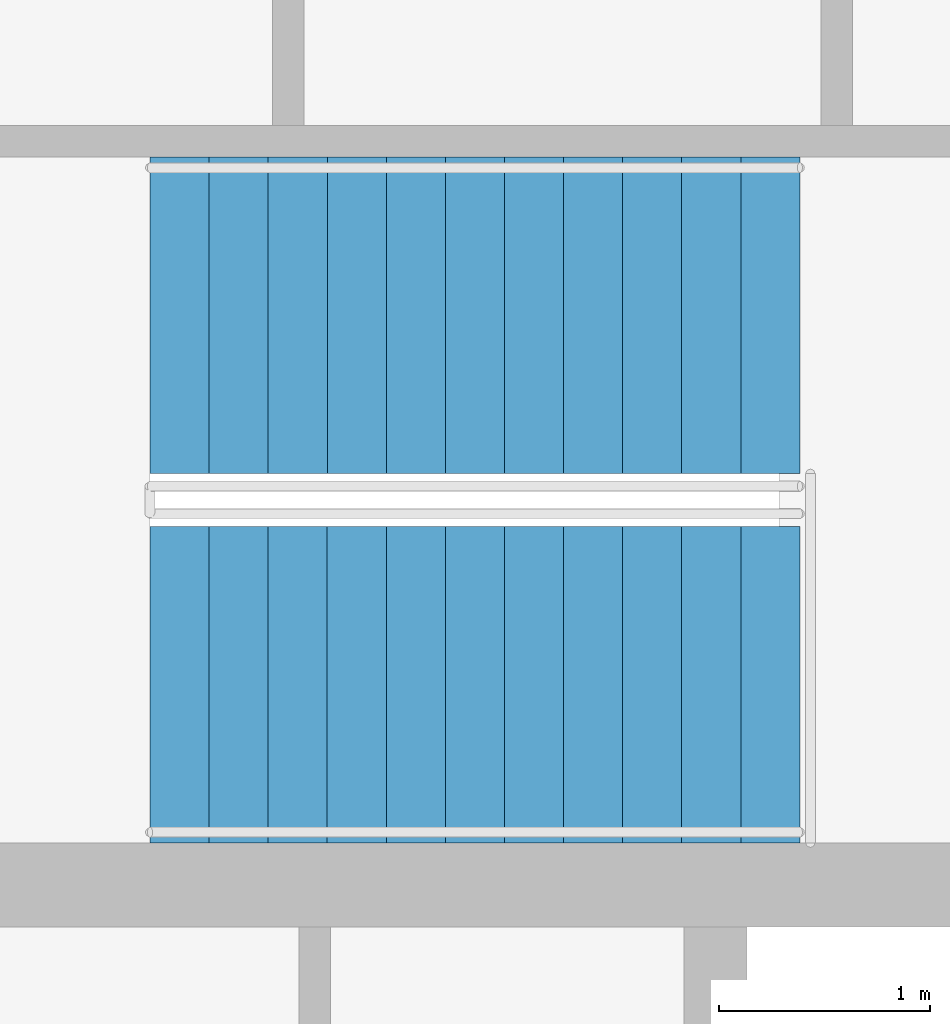
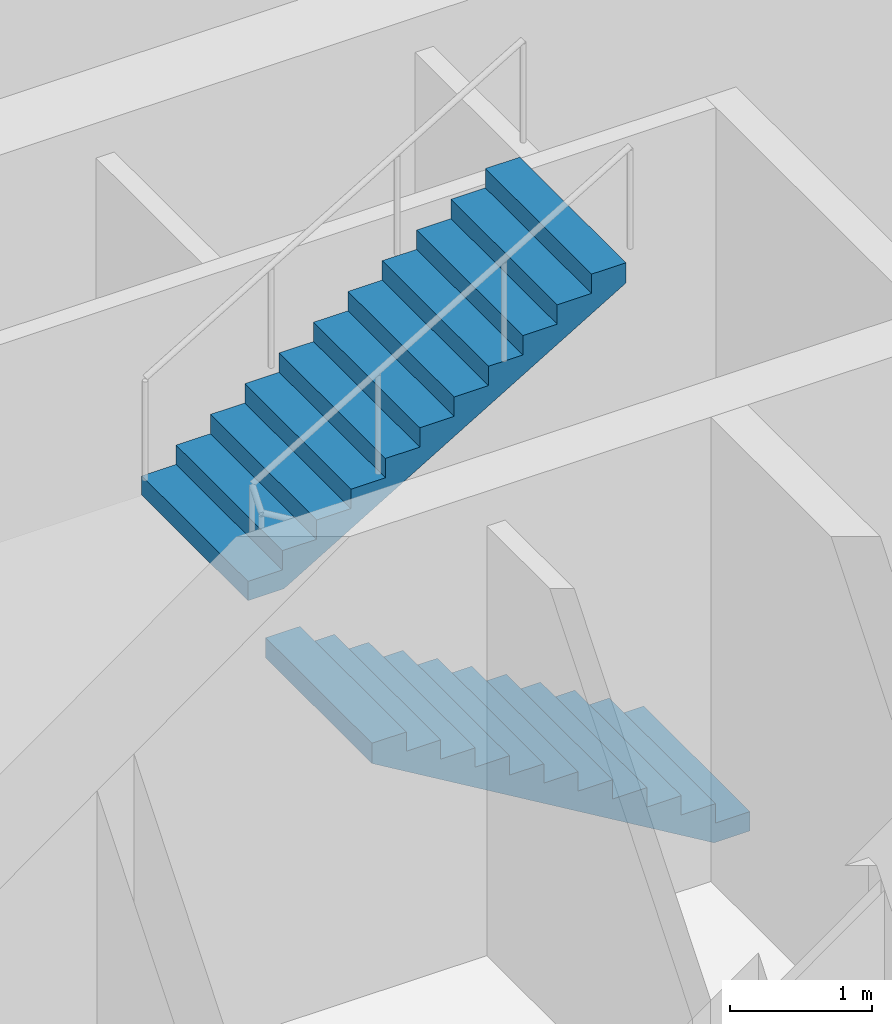
# One storey, part 8 of 11: 2 stair flights, 1 element without a shape of its own.
"""IFC4 building model written with IfcOpenShell, lengths in metres."""

from ifc_helpers import new_model, si_unit, direction, frame, origin, place, context, subcontext, project, spatial, polyline, outline, extrude, material, type_object, element, aggregate, save


model = new_model("IFC4")

# Units and contexts
model_context = context("Model", 3, precision=1e-05, world=origin(), true_north=direction((0.0, 1.0)))
body_context = subcontext(model_context, "Body", "Model", "MODEL_VIEW")
ifc_project = project(units=[si_unit("LENGTHUNIT", "METRE"), si_unit("AREAUNIT", "SQUARE_METRE"), si_unit("VOLUMEUNIT", "CUBIC_METRE"), si_unit("PLANEANGLEUNIT", "RADIAN"), si_unit("MASSUNIT", "GRAM", prefix="KILO")], contexts=[model_context])

# Site, building, storey
site_placement = place(None, origin())
site = spatial("IfcSite", under=ifc_project, at=site_placement, CompositionType="ELEMENT")
building_placement = place(site_placement, origin())
building = spatial("IfcBuilding", under=site, at=building_placement, Name="Halqa Exchange Tower", CompositionType="ELEMENT")
storey_placement = place(building_placement, frame((0.0, 0.0, 230.89990234375)))
storey = spatial("IfcBuildingStorey", under=building, at=storey_placement, Name="L53", CompositionType="ELEMENT", Elevation=230.89990234375)

# Stair, stair flights
ifc_material = material(Name="Concrete C30/37", Category="concrete")
stair_type = type_object("IfcStairType", Name="Exit stair 1500 wide", PredefinedType="HALF_TURN_STAIR", material=ifc_material)
stair_placement = place(storey_placement, origin())
stair = element("IfcStair", 1, at=stair_placement, inside=storey, type_object=stair_type, Name="Exit stair ST2", PredefinedType="HALF_TURN_STAIR")
stair_flight_type = type_object("IfcStairFlightType", Name="Stair flight 1500 wide", PredefinedType="STRAIGHT", material=ifc_material)
stair_flight_1_placement = place(storey_placement, frame((6.64990234375, 7.25, 0.0), z_axis=(0.0, 0.0, 1.0), x_axis=(-1.0, 0.0, 0.0)))
stair_flight_1 = element("IfcStairFlight", 2, at=stair_flight_1_placement, type_object=stair_flight_type, Name="ST2 flight 1", NumberOfRisers=12, NumberOfTreads=11, PredefinedType="STRAIGHT", RiserHeight=0.166666667, TreadLength=0.28, context=body_context, shape_type="SweptSolid", body=[
    extrude(outline(polyline([(0.0, 0.0), (0.0, 0.166748046875), (0.280029296875, 0.166748046875), (0.280029296875, 0.333251953125), (0.56005859375, 0.333251953125), (0.56005859375, 0.5), (0.840087890625, 0.5), (0.840087890625, 0.666748046875), (1.1201171875, 0.666748046875), (1.1201171875, 0.833251953125), (1.39990234375, 0.833251953125), (1.39990234375, 1.0), (1.679931640625, 1.0), (1.679931640625, 1.166748046875), (1.9599609375, 1.166748046875), (1.9599609375, 1.333251953125), (2.239990234375, 1.333251953125), (2.239990234375, 1.5), (2.52001953125, 1.5), (2.52001953125, 1.666748046875), (2.800048828125, 1.666748046875), (2.800048828125, 1.833251953125), (3.080078125, 1.833251953125), (3.080078125, 2.0), (3.080078125, 1.658935546875), (0.29296875, 0.0), (0.0, 0.0)])), frame((0.0, 0.75, 0.0), z_axis=(0.0, -1.0, 0.0), x_axis=(1.0, 0.0, 0.0)), (0.0, 0.0, 1.0), 1.5),
])
stair_flight_2_placement = place(storey_placement, frame((3.570068359375, 9.0, 2.0), z_axis=(0.0, 0.0, 1.0), x_axis=(1.0, 0.0, 0.0)))
stair_flight_2 = element("IfcStairFlight", 3, at=stair_flight_2_placement, type_object=stair_flight_type, Name="ST2 flight 2", NumberOfRisers=12, NumberOfTreads=11, PredefinedType="STRAIGHT", RiserHeight=0.166666667, TreadLength=0.28, context=body_context, shape_type="SweptSolid", body=[
    extrude(outline(polyline([(0.0, 0.0), (0.0, 0.166748046875), (0.280029296875, 0.166748046875), (0.280029296875, 0.333251953125), (0.56005859375, 0.333251953125), (0.56005859375, 0.5), (0.840087890625, 0.5), (0.840087890625, 0.666748046875), (1.1201171875, 0.666748046875), (1.1201171875, 0.833251953125), (1.39990234375, 0.833251953125), (1.39990234375, 1.0), (1.679931640625, 1.0), (1.679931640625, 1.166748046875), (1.9599609375, 1.166748046875), (1.9599609375, 1.333251953125), (2.239990234375, 1.333251953125), (2.239990234375, 1.5), (2.52001953125, 1.5), (2.52001953125, 1.666748046875), (2.800048828125, 1.666748046875), (2.800048828125, 1.833251953125), (3.080078125, 1.833251953125), (3.080078125, 2.0), (3.080078125, 1.658935546875), (0.29296875, 0.0), (0.0, 0.0)])), frame((0.0, 0.75, 0.0), z_axis=(0.0, -1.0, 0.0), x_axis=(1.0, 0.0, 0.0)), (0.0, 0.0, 1.0), 1.5),
])
aggregate(stair, [stair_flight_1, stair_flight_2])

save(model, "model.ifc")
